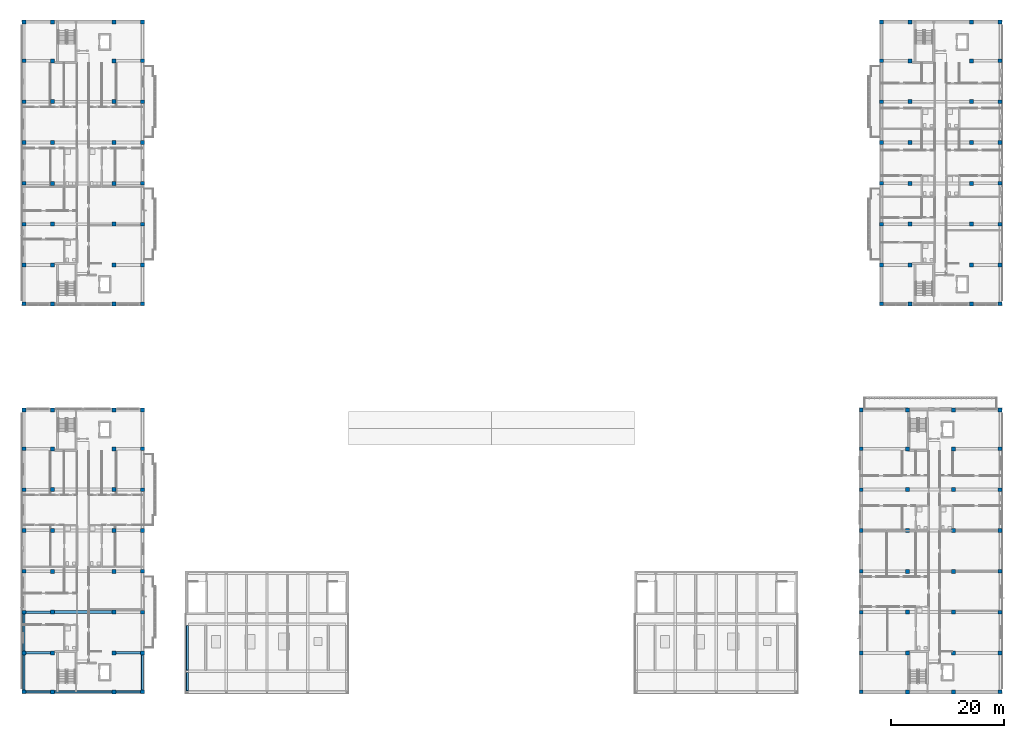
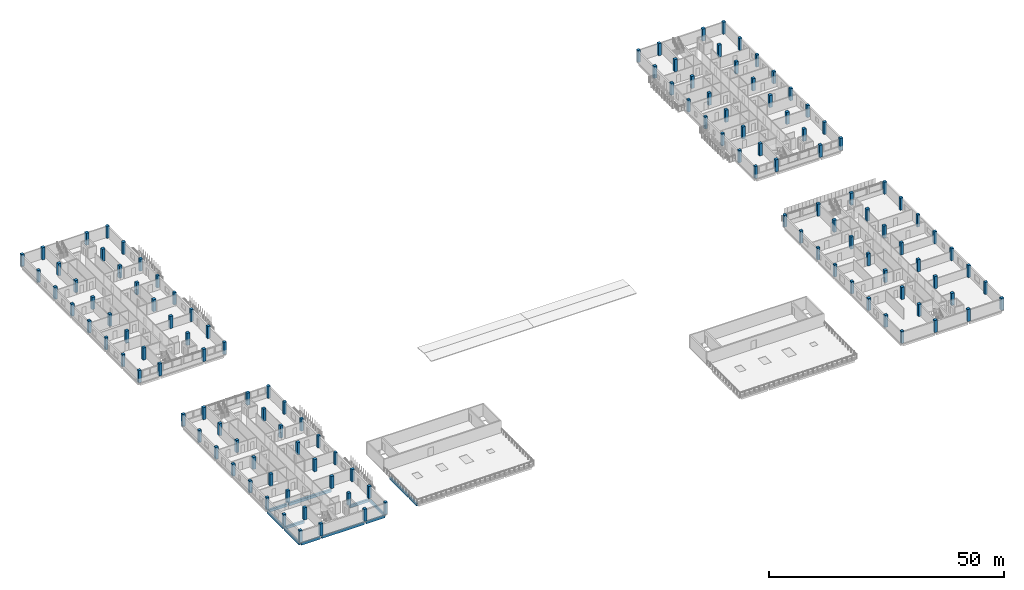
# One storey, part 1 of 56: 128 columns, 12 beams.
"""IFC4 building model written with IfcOpenShell, lengths in metres."""

from ifc_helpers import new_model, si_unit, derived_unit, direction, frame, origin, origin_2d, place, context, subcontext, project, spatial, rectangle, extrude, material, material_profile, profile_set, type_object, element, save


model = new_model("IFC4")

# Units and contexts
model_context = context("Model", 3, precision=1e-05, world=origin(), true_north=direction((0.0, 1.0)))
body_context = subcontext(model_context, "Body", "Model", "MODEL_VIEW")
ifc_project = project(units=[si_unit("LENGTHUNIT", "METRE"), si_unit("AREAUNIT", "SQUARE_METRE"), si_unit("VOLUMEUNIT", "CUBIC_METRE"), si_unit("PLANEANGLEUNIT", "RADIAN"), si_unit("MASSUNIT", "GRAM", prefix="KILO"), derived_unit("THERMALTRANSMITTANCEUNIT", [(si_unit("MASSUNIT", "GRAM", prefix="KILO"), 1), (si_unit("TIMEUNIT", "SECOND"), -3), (si_unit("THERMODYNAMICTEMPERATUREUNIT", "KELVIN"), -1)])], contexts=[model_context])

# Site, building, storey
site_placement = place(None, origin())
site = spatial("IfcSite", under=ifc_project, at=site_placement, CompositionType="ELEMENT")
building_placement = place(site_placement, origin())
building = spatial("IfcBuilding", under=site, at=building_placement, Name="Ochrekiln Boulevard Commons", CompositionType="ELEMENT")
storey_placement = place(building_placement, frame((0.0, 0.0, 12.074951171875)))
storey = spatial("IfcBuildingStorey", under=building, at=storey_placement, Name="L03", CompositionType="ELEMENT", Elevation=12.074951171875)

# Columns
ifc_material_1 = material(Name="Concrete C40/50", Category="concrete")
ifc_material_profile_1 = material_profile(ifc_material_1, rectangle(XDim=0.64990234375, YDim=0.64990234375, at=origin_2d()), Name="RC-COL-650x650")
ifc_profile_set_1 = profile_set([ifc_material_profile_1], Name="Concrete C40/50")
column_type_1 = type_object("IfcColumnType", Name="COL-RC-650", PredefinedType="COLUMN", material=ifc_profile_set_1)
for number, where, z_axis, x_axis, name in (
    (1, (0.35009765625, 68.75, 0.0), (0.0, 0.0, 1.0), (1.0, 0.0, 0.0), "Block A L03 Column C-650 (1)"),
    (2, (0.35009765625, 75.60009765625, 0.0), (0.0, 0.0, 1.0), (1.0, 0.0, 0.0), "Block A L03 Column C-650 (2)"),
    (3, (0.35009765625, 82.800048828125, 0.0), (0.0, 0.0, 1.0), (1.0, 0.0, 0.0), "Block A L03 Column C-650 (3)"),
    (4, (0.35009765625, 90.0, 0.0), (0.0, 0.0, 1.0), (1.0, 0.0, 0.0), "Block A L03 Column C-650 (4)"),
    (5, (0.35009765625, 97.199951171875, 0.0), (0.0, 0.0, 1.0), (1.0, 0.0, 0.0), "Block A L03 Column C-650 (5)"),
    (6, (0.35009765625, 104.39990234375, 0.0), (0.0, 0.0, 1.0), (1.0, 0.0, 0.0), "Block A L03 Column C-650 (6)"),
    (7, (0.35009765625, 111.60009765625, 0.0), (0.0, 0.0, 1.0), (1.0, 0.0, 0.0), "Block A L03 Column C-650 (7)"),
    (8, (0.35009765625, 118.449951171875, 0.0), (0.0, 0.0, 1.0), (1.0, 0.0, 0.0), "Block A L03 Column C-650 (8)"),
    (9, (21.25, 68.75, 0.0), (0.0, 0.0, 1.0), (1.0, 0.0, 0.0), "Block A L03 Column C-650 (25)"),
    (10, (21.25, 75.60009765625, 0.0), (0.0, 0.0, 1.0), (1.0, 0.0, 0.0), "Block A L03 Column C-650 (26)"),
    (11, (21.25, 82.800048828125, 0.0), (0.0, 0.0, 1.0), (1.0, 0.0, 0.0), "Block A L03 Column C-650 (27)"),
    (12, (21.25, 90.0, 0.0), (0.0, 0.0, 1.0), (1.0, 0.0, 0.0), "Block A L03 Column C-650 (28)"),
    (13, (21.25, 97.199951171875, 0.0), (0.0, 0.0, 1.0), (1.0, 0.0, 0.0), "Block A L03 Column C-650 (29)"),
    (14, (21.25, 104.39990234375, 0.0), (0.0, 0.0, 1.0), (1.0, 0.0, 0.0), "Block A L03 Column C-650 (30)"),
    (15, (21.25, 111.60009765625, 0.0), (0.0, 0.0, 1.0), (1.0, 0.0, 0.0), "Block A L03 Column C-650 (31)"),
    (16, (21.25, 118.449951171875, 0.0), (0.0, 0.0, 1.0), (1.0, 0.0, 0.0), "Block A L03 Column C-650 (32)"),
    (17, (151.550048828125, 68.75, 0.0), (0.0, 0.0, 1.0), (1.0, 0.0, 0.0), "Block B L03 Column C-650 (1)"),
    (18, (151.550048828125, 75.60009765625, 0.0), (0.0, 0.0, 1.0), (1.0, 0.0, 0.0), "Block B L03 Column C-650 (2)"),
    (19, (151.550048828125, 82.800048828125, 0.0), (0.0, 0.0, 1.0), (1.0, 0.0, 0.0), "Block B L03 Column C-650 (3)"),
    (20, (151.550048828125, 90.0, 0.0), (0.0, 0.0, 1.0), (1.0, 0.0, 0.0), "Block B L03 Column C-650 (4)"),
    (21, (151.550048828125, 97.199951171875, 0.0), (0.0, 0.0, 1.0), (1.0, 0.0, 0.0), "Block B L03 Column C-650 (5)"),
    (22, (151.550048828125, 104.39990234375, 0.0), (0.0, 0.0, 1.0), (1.0, 0.0, 0.0), "Block B L03 Column C-650 (6)"),
    (23, (151.550048828125, 111.60009765625, 0.0), (0.0, 0.0, 1.0), (1.0, 0.0, 0.0), "Block B L03 Column C-650 (7)"),
    (24, (151.550048828125, 118.449951171875, 0.0), (0.0, 0.0, 1.0), (1.0, 0.0, 0.0), "Block B L03 Column C-650 (8)"),
    (25, (172.449951171875, 68.75, 0.0), (0.0, 0.0, 1.0), (1.0, 0.0, 0.0), "Block B L03 Column C-650 (25)"),
    (26, (172.449951171875, 75.60009765625, 0.0), (0.0, 0.0, 1.0), (1.0, 0.0, 0.0), "Block B L03 Column C-650 (26)"),
    (27, (172.449951171875, 82.800048828125, 0.0), (0.0, 0.0, 1.0), (1.0, 0.0, 0.0), "Block B L03 Column C-650 (27)"),
    (28, (172.449951171875, 90.0, 0.0), (0.0, 0.0, 1.0), (1.0, 0.0, 0.0), "Block B L03 Column C-650 (28)"),
    (29, (172.449951171875, 97.199951171875, 0.0), (0.0, 0.0, 1.0), (1.0, 0.0, 0.0), "Block B L03 Column C-650 (29)"),
    (30, (172.449951171875, 104.39990234375, 0.0), (0.0, 0.0, 1.0), (1.0, 0.0, 0.0), "Block B L03 Column C-650 (30)"),
    (31, (172.449951171875, 111.60009765625, 0.0), (0.0, 0.0, 1.0), (1.0, 0.0, 0.0), "Block B L03 Column C-650 (31)"),
    (32, (172.449951171875, 118.449951171875, 0.0), (0.0, 0.0, 1.0), (1.0, 0.0, 0.0), "Block B L03 Column C-650 (32)"),
    (33, (147.949951171875, 0.35009765625, 0.0), (0.0, 0.0, 1.0), (1.0, 0.0, 0.0), "Block C L03 Column C-650 (1)"),
    (34, (147.949951171875, 7.199951171875, 0.0), (0.0, 0.0, 1.0), (1.0, 0.0, 0.0), "Block C L03 Column C-650 (2)"),
    (35, (147.949951171875, 14.39990234375, 0.0), (0.0, 0.0, 1.0), (1.0, 0.0, 0.0), "Block C L03 Column C-650 (3)"),
    (36, (147.949951171875, 21.60009765625, 0.0), (0.0, 0.0, 1.0), (1.0, 0.0, 0.0), "Block C L03 Column C-650 (4)"),
    (37, (147.949951171875, 28.800048828125, 0.0), (0.0, 0.0, 1.0), (1.0, 0.0, 0.0), "Block C L03 Column C-650 (5)"),
    (38, (147.949951171875, 36.0, 0.0), (0.0, 0.0, 1.0), (1.0, 0.0, 0.0), "Block C L03 Column C-650 (6)"),
    (39, (147.949951171875, 43.199951171875, 0.0), (0.0, 0.0, 1.0), (1.0, 0.0, 0.0), "Block C L03 Column C-650 (7)"),
    (40, (147.949951171875, 50.050048828125, 0.0), (0.0, 0.0, 1.0), (1.0, 0.0, 0.0), "Block C L03 Column C-650 (8)"),
    (41, (172.449951171875, 0.35009765625, 0.0), (0.0, 0.0, 1.0), (1.0, 0.0, 0.0), "Block C L03 Column C-650 (25)"),
    (42, (172.449951171875, 7.199951171875, 0.0), (0.0, 0.0, 1.0), (1.0, 0.0, 0.0), "Block C L03 Column C-650 (26)"),
    (43, (172.449951171875, 14.39990234375, 0.0), (0.0, 0.0, 1.0), (1.0, 0.0, 0.0), "Block C L03 Column C-650 (27)"),
    (44, (172.449951171875, 21.60009765625, 0.0), (0.0, 0.0, 1.0), (1.0, 0.0, 0.0), "Block C L03 Column C-650 (28)"),
    (45, (172.449951171875, 28.800048828125, 0.0), (0.0, 0.0, 1.0), (1.0, 0.0, 0.0), "Block C L03 Column C-650 (29)"),
    (46, (172.449951171875, 36.0, 0.0), (0.0, 0.0, 1.0), (1.0, 0.0, 0.0), "Block C L03 Column C-650 (30)"),
    (47, (172.449951171875, 43.199951171875, 0.0), (0.0, 0.0, 1.0), (1.0, 0.0, 0.0), "Block C L03 Column C-650 (31)"),
    (48, (172.449951171875, 50.050048828125, 0.0), (0.0, 0.0, 1.0), (1.0, 0.0, 0.0), "Block C L03 Column C-650 (32)"),
    (49, (0.35009765625, 0.35009765625, 0.0), (0.0, 0.0, 1.0), (1.0, 0.0, 0.0), "Block D L03 Column C-650 (1)"),
    (50, (0.35009765625, 7.199951171875, 0.0), (0.0, 0.0, 1.0), (1.0, 0.0, 0.0), "Block D L03 Column C-650 (2)"),
    (51, (0.35009765625, 14.39990234375, 0.0), (0.0, 0.0, 1.0), (1.0, 0.0, 0.0), "Block D L03 Column C-650 (3)"),
    (52, (0.35009765625, 21.60009765625, 0.0), (0.0, 0.0, 1.0), (1.0, 0.0, 0.0), "Block D L03 Column C-650 (4)"),
    (53, (0.35009765625, 28.800048828125, 0.0), (0.0, 0.0, 1.0), (1.0, 0.0, 0.0), "Block D L03 Column C-650 (5)"),
    (54, (0.35009765625, 36.0, 0.0), (0.0, 0.0, 1.0), (1.0, 0.0, 0.0), "Block D L03 Column C-650 (6)"),
    (55, (0.35009765625, 43.199951171875, 0.0), (0.0, 0.0, 1.0), (1.0, 0.0, 0.0), "Block D L03 Column C-650 (7)"),
    (56, (0.35009765625, 50.050048828125, 0.0), (0.0, 0.0, 1.0), (1.0, 0.0, 0.0), "Block D L03 Column C-650 (8)"),
    (57, (21.25, 0.35009765625, 0.0), (0.0, 0.0, 1.0), (1.0, 0.0, 0.0), "Block D L03 Column C-650 (25)"),
    (58, (21.25, 7.199951171875, 0.0), (0.0, 0.0, 1.0), (1.0, 0.0, 0.0), "Block D L03 Column C-650 (26)"),
    (59, (21.25, 14.39990234375, 0.0), (0.0, 0.0, 1.0), (1.0, 0.0, 0.0), "Block D L03 Column C-650 (27)"),
    (60, (21.25, 21.60009765625, 0.0), (0.0, 0.0, 1.0), (1.0, 0.0, 0.0), "Block D L03 Column C-650 (28)"),
    (61, (21.25, 28.800048828125, 0.0), (0.0, 0.0, 1.0), (1.0, 0.0, 0.0), "Block D L03 Column C-650 (29)"),
    (62, (21.25, 36.0, 0.0), (0.0, 0.0, 1.0), (1.0, 0.0, 0.0), "Block D L03 Column C-650 (30)"),
    (63, (21.25, 43.199951171875, 0.0), (0.0, 0.0, 1.0), (1.0, 0.0, 0.0), "Block D L03 Column C-650 (31)"),
    (64, (21.25, 50.050048828125, 0.0), (0.0, 0.0, 1.0), (1.0, 0.0, 0.0), "Block D L03 Column C-650 (32)"),
):
    element("IfcColumn", number, at=place(storey_placement, frame(where, z_axis=z_axis, x_axis=x_axis)), inside=storey, type_object=column_type_1, Name=name, PredefinedType="COLUMN", context=body_context, shape_type="SweptSolid", body=[
        extrude(rectangle(XDim=0.64990234375, YDim=0.64990234375, at=origin_2d()), origin(), (0.0, 0.0, 1.0), 3.150146484375),
    ])
ifc_material_profile_2 = material_profile(ifc_material_1, rectangle(XDim=0.699951171875, YDim=0.699951171875, at=origin_2d()), Name="RC-COL-700x700")
ifc_profile_set_2 = profile_set([ifc_material_profile_2], Name="Concrete C40/50")
column_type_2 = type_object("IfcColumnType", Name="COL-RC-700", PredefinedType="COLUMN", material=ifc_profile_set_2)
for number, where, z_axis, x_axis, name in (
    (65, (5.39990234375, 68.75, 0.0), (0.0, 0.0, 1.0), (1.0, 0.0, 0.0), "Block A L03 Column C-700 (9)"),
    (66, (5.39990234375, 75.60009765625, 0.0), (0.0, 0.0, 1.0), (1.0, 0.0, 0.0), "Block A L03 Column C-700 (10)"),
    (67, (5.39990234375, 82.800048828125, 0.0), (0.0, 0.0, 1.0), (1.0, 0.0, 0.0), "Block A L03 Column C-700 (11)"),
    (68, (5.39990234375, 90.0, 0.0), (0.0, 0.0, 1.0), (1.0, 0.0, 0.0), "Block A L03 Column C-700 (12)"),
    (69, (5.39990234375, 97.199951171875, 0.0), (0.0, 0.0, 1.0), (1.0, 0.0, 0.0), "Block A L03 Column C-700 (13)"),
    (70, (5.39990234375, 104.39990234375, 0.0), (0.0, 0.0, 1.0), (1.0, 0.0, 0.0), "Block A L03 Column C-700 (14)"),
    (71, (5.39990234375, 111.60009765625, 0.0), (0.0, 0.0, 1.0), (1.0, 0.0, 0.0), "Block A L03 Column C-700 (15)"),
    (72, (5.39990234375, 118.449951171875, 0.0), (0.0, 0.0, 1.0), (1.0, 0.0, 0.0), "Block A L03 Column C-700 (16)"),
    (73, (16.199951171875, 68.75, 0.0), (0.0, 0.0, 1.0), (1.0, 0.0, 0.0), "Block A L03 Column C-700 (17)"),
    (74, (16.199951171875, 75.60009765625, 0.0), (0.0, 0.0, 1.0), (1.0, 0.0, 0.0), "Block A L03 Column C-700 (18)"),
    (75, (16.199951171875, 82.800048828125, 0.0), (0.0, 0.0, 1.0), (1.0, 0.0, 0.0), "Block A L03 Column C-700 (19)"),
    (76, (16.199951171875, 90.0, 0.0), (0.0, 0.0, 1.0), (1.0, 0.0, 0.0), "Block A L03 Column C-700 (20)"),
    (77, (16.199951171875, 97.199951171875, 0.0), (0.0, 0.0, 1.0), (1.0, 0.0, 0.0), "Block A L03 Column C-700 (21)"),
    (78, (16.199951171875, 104.39990234375, 0.0), (0.0, 0.0, 1.0), (1.0, 0.0, 0.0), "Block A L03 Column C-700 (22)"),
    (79, (16.199951171875, 111.60009765625, 0.0), (0.0, 0.0, 1.0), (1.0, 0.0, 0.0), "Block A L03 Column C-700 (23)"),
    (80, (16.199951171875, 118.449951171875, 0.0), (0.0, 0.0, 1.0), (1.0, 0.0, 0.0), "Block A L03 Column C-700 (24)"),
    (81, (156.60009765625, 68.75, 0.0), (0.0, 0.0, 1.0), (1.0, 0.0, 0.0), "Block B L03 Column C-700 (9)"),
    (82, (156.60009765625, 75.60009765625, 0.0), (0.0, 0.0, 1.0), (1.0, 0.0, 0.0), "Block B L03 Column C-700 (10)"),
    (83, (156.60009765625, 82.800048828125, 0.0), (0.0, 0.0, 1.0), (1.0, 0.0, 0.0), "Block B L03 Column C-700 (11)"),
    (84, (156.60009765625, 90.0, 0.0), (0.0, 0.0, 1.0), (1.0, 0.0, 0.0), "Block B L03 Column C-700 (12)"),
    (85, (156.60009765625, 97.199951171875, 0.0), (0.0, 0.0, 1.0), (1.0, 0.0, 0.0), "Block B L03 Column C-700 (13)"),
    (86, (156.60009765625, 104.39990234375, 0.0), (0.0, 0.0, 1.0), (1.0, 0.0, 0.0), "Block B L03 Column C-700 (14)"),
    (87, (156.60009765625, 111.60009765625, 0.0), (0.0, 0.0, 1.0), (1.0, 0.0, 0.0), "Block B L03 Column C-700 (15)"),
    (88, (156.60009765625, 118.449951171875, 0.0), (0.0, 0.0, 1.0), (1.0, 0.0, 0.0), "Block B L03 Column C-700 (16)"),
    (89, (167.39990234375, 68.75, 0.0), (0.0, 0.0, 1.0), (1.0, 0.0, 0.0), "Block B L03 Column C-700 (17)"),
    (90, (167.39990234375, 75.60009765625, 0.0), (0.0, 0.0, 1.0), (1.0, 0.0, 0.0), "Block B L03 Column C-700 (18)"),
    (91, (167.39990234375, 82.800048828125, 0.0), (0.0, 0.0, 1.0), (1.0, 0.0, 0.0), "Block B L03 Column C-700 (19)"),
    (92, (167.39990234375, 90.0, 0.0), (0.0, 0.0, 1.0), (1.0, 0.0, 0.0), "Block B L03 Column C-700 (20)"),
    (93, (167.39990234375, 97.199951171875, 0.0), (0.0, 0.0, 1.0), (1.0, 0.0, 0.0), "Block B L03 Column C-700 (21)"),
    (94, (167.39990234375, 104.39990234375, 0.0), (0.0, 0.0, 1.0), (1.0, 0.0, 0.0), "Block B L03 Column C-700 (22)"),
    (95, (167.39990234375, 111.60009765625, 0.0), (0.0, 0.0, 1.0), (1.0, 0.0, 0.0), "Block B L03 Column C-700 (23)"),
    (96, (167.39990234375, 118.449951171875, 0.0), (0.0, 0.0, 1.0), (1.0, 0.0, 0.0), "Block B L03 Column C-700 (24)"),
    (97, (156.14990234375, 0.35009765625, 0.0), (0.0, 0.0, 1.0), (1.0, 0.0, 0.0), "Block C L03 Column C-700 (9)"),
    (98, (156.14990234375, 7.199951171875, 0.0), (0.0, 0.0, 1.0), (1.0, 0.0, 0.0), "Block C L03 Column C-700 (10)"),
    (99, (156.14990234375, 14.39990234375, 0.0), (0.0, 0.0, 1.0), (1.0, 0.0, 0.0), "Block C L03 Column C-700 (11)"),
    (100, (156.14990234375, 21.60009765625, 0.0), (0.0, 0.0, 1.0), (1.0, 0.0, 0.0), "Block C L03 Column C-700 (12)"),
    (101, (156.14990234375, 28.800048828125, 0.0), (0.0, 0.0, 1.0), (1.0, 0.0, 0.0), "Block C L03 Column C-700 (13)"),
    (102, (156.14990234375, 36.0, 0.0), (0.0, 0.0, 1.0), (1.0, 0.0, 0.0), "Block C L03 Column C-700 (14)"),
    (103, (156.14990234375, 43.199951171875, 0.0), (0.0, 0.0, 1.0), (1.0, 0.0, 0.0), "Block C L03 Column C-700 (15)"),
    (104, (156.14990234375, 50.050048828125, 0.0), (0.0, 0.0, 1.0), (1.0, 0.0, 0.0), "Block C L03 Column C-700 (16)"),
    (105, (164.25, 0.35009765625, 0.0), (0.0, 0.0, 1.0), (1.0, 0.0, 0.0), "Block C L03 Column C-700 (17)"),
    (106, (164.25, 7.199951171875, 0.0), (0.0, 0.0, 1.0), (1.0, 0.0, 0.0), "Block C L03 Column C-700 (18)"),
    (107, (164.25, 14.39990234375, 0.0), (0.0, 0.0, 1.0), (1.0, 0.0, 0.0), "Block C L03 Column C-700 (19)"),
    (108, (164.25, 21.60009765625, 0.0), (0.0, 0.0, 1.0), (1.0, 0.0, 0.0), "Block C L03 Column C-700 (20)"),
    (109, (164.25, 28.800048828125, 0.0), (0.0, 0.0, 1.0), (1.0, 0.0, 0.0), "Block C L03 Column C-700 (21)"),
    (110, (164.25, 36.0, 0.0), (0.0, 0.0, 1.0), (1.0, 0.0, 0.0), "Block C L03 Column C-700 (22)"),
    (111, (164.25, 43.199951171875, 0.0), (0.0, 0.0, 1.0), (1.0, 0.0, 0.0), "Block C L03 Column C-700 (23)"),
    (112, (164.25, 50.050048828125, 0.0), (0.0, 0.0, 1.0), (1.0, 0.0, 0.0), "Block C L03 Column C-700 (24)"),
    (113, (5.39990234375, 0.35009765625, 0.0), (0.0, 0.0, 1.0), (1.0, 0.0, 0.0), "Block D L03 Column C-700 (9)"),
    (114, (5.39990234375, 7.199951171875, 0.0), (0.0, 0.0, 1.0), (1.0, 0.0, 0.0), "Block D L03 Column C-700 (10)"),
    (115, (5.39990234375, 14.39990234375, 0.0), (0.0, 0.0, 1.0), (1.0, 0.0, 0.0), "Block D L03 Column C-700 (11)"),
    (116, (5.39990234375, 21.60009765625, 0.0), (0.0, 0.0, 1.0), (1.0, 0.0, 0.0), "Block D L03 Column C-700 (12)"),
    (117, (5.39990234375, 28.800048828125, 0.0), (0.0, 0.0, 1.0), (1.0, 0.0, 0.0), "Block D L03 Column C-700 (13)"),
    (118, (5.39990234375, 36.0, 0.0), (0.0, 0.0, 1.0), (1.0, 0.0, 0.0), "Block D L03 Column C-700 (14)"),
    (119, (5.39990234375, 43.199951171875, 0.0), (0.0, 0.0, 1.0), (1.0, 0.0, 0.0), "Block D L03 Column C-700 (15)"),
    (120, (5.39990234375, 50.050048828125, 0.0), (0.0, 0.0, 1.0), (1.0, 0.0, 0.0), "Block D L03 Column C-700 (16)"),
    (121, (16.199951171875, 0.35009765625, 0.0), (0.0, 0.0, 1.0), (1.0, 0.0, 0.0), "Block D L03 Column C-700 (17)"),
    (122, (16.199951171875, 7.199951171875, 0.0), (0.0, 0.0, 1.0), (1.0, 0.0, 0.0), "Block D L03 Column C-700 (18)"),
    (123, (16.199951171875, 14.39990234375, 0.0), (0.0, 0.0, 1.0), (1.0, 0.0, 0.0), "Block D L03 Column C-700 (19)"),
    (124, (16.199951171875, 21.60009765625, 0.0), (0.0, 0.0, 1.0), (1.0, 0.0, 0.0), "Block D L03 Column C-700 (20)"),
    (125, (16.199951171875, 28.800048828125, 0.0), (0.0, 0.0, 1.0), (1.0, 0.0, 0.0), "Block D L03 Column C-700 (21)"),
    (126, (16.199951171875, 36.0, 0.0), (0.0, 0.0, 1.0), (1.0, 0.0, 0.0), "Block D L03 Column C-700 (22)"),
    (127, (16.199951171875, 43.199951171875, 0.0), (0.0, 0.0, 1.0), (1.0, 0.0, 0.0), "Block D L03 Column C-700 (23)"),
    (128, (16.199951171875, 50.050048828125, 0.0), (0.0, 0.0, 1.0), (1.0, 0.0, 0.0), "Block D L03 Column C-700 (24)"),
):
    element("IfcColumn", number, at=place(storey_placement, frame(where, z_axis=z_axis, x_axis=x_axis)), inside=storey, type_object=column_type_2, Name=name, PredefinedType="COLUMN", context=body_context, shape_type="SweptSolid", body=[
        extrude(rectangle(XDim=0.699951171875, YDim=0.699951171875, at=origin_2d()), origin(), (0.0, 0.0, 1.0), 3.150146484375),
    ])

# Beams
ifc_material_2 = material(Name="Concrete C35/45", Category="concrete")
ifc_material_profile_3 = material_profile(ifc_material_2, rectangle(XDim=0.449951171875, YDim=0.64990234375, at=origin_2d()), Name="RC-BM-450x650")
ifc_profile_set_3 = profile_set([ifc_material_profile_3], Name="Concrete C35/45")
beam_type_1 = type_object("IfcBeamType", Name="BM-RC-450x650", PredefinedType="BEAM", material=ifc_profile_set_3)
beam_1_placement = place(storey_placement, frame((0.56005859375, 7.199951171875, -0.5849609375), z_axis=(1.0, 0.0, 0.0), x_axis=(0.0, 1.0, 0.0)))
element("IfcBeam", 129, at=beam_1_placement, inside=storey, type_object=beam_type_1, Name="Block D L03 Beam B-4565 X4", PredefinedType="BEAM", context=body_context, shape_type="SweptSolid", body=[
    extrude(rectangle(XDim=0.449951171875, YDim=0.64990234375, at=origin_2d()), origin(), (0.0, 0.0, 1.0), 4.6298828125),
])
beam_2_placement = place(storey_placement, frame((16.409912109375, 7.199951171875, -0.5849609375), z_axis=(1.0, 0.0, 0.0), x_axis=(0.0, 1.0, 0.0)))
element("IfcBeam", 130, at=beam_2_placement, inside=storey, type_object=beam_type_1, Name="Block D L03 Beam B-4565 X5", PredefinedType="BEAM", context=body_context, shape_type="SweptSolid", body=[
    extrude(rectangle(XDim=0.449951171875, YDim=0.64990234375, at=origin_2d()), origin(), (0.0, 0.0, 1.0), 4.630126953125),
])
beam_3_placement = place(storey_placement, frame((0.56005859375, 14.39990234375, -0.5849609375), z_axis=(1.0, 0.0, 0.0), x_axis=(0.0, 1.0, 0.0)))
element("IfcBeam", 131, at=beam_3_placement, inside=storey, type_object=beam_type_1, Name="Block D L03 Beam B-4565 X6", PredefinedType="BEAM", context=body_context, shape_type="SweptSolid", body=[
    extrude(rectangle(XDim=0.449951171875, YDim=0.64990234375, at=origin_2d()), origin(), (0.0, 0.0, 1.0), 4.6298828125),
])
ifc_material_profile_4 = material_profile(ifc_material_1, rectangle(XDim=0.5, YDim=0.699951171875, at=origin_2d()), Name="RC-BM-500x700")
ifc_profile_set_4 = profile_set([ifc_material_profile_4], Name="Concrete C40/50")
beam_type_2 = type_object("IfcBeamType", Name="BM-RC-500x700", PredefinedType="BEAM", material=ifc_profile_set_4)
beam_4_placement = place(storey_placement, frame((5.610107421875, 14.39990234375, -0.60986328125), z_axis=(1.0, 0.0, 0.0), x_axis=(0.0, 1.0, 0.0)))
element("IfcBeam", 132, at=beam_4_placement, inside=storey, type_object=beam_type_2, Name="Block D L03 Beam B-5070 X7", PredefinedType="BEAM", context=body_context, shape_type="SweptSolid", body=[
    extrude(rectangle(XDim=0.5, YDim=0.699951171875, at=origin_2d()), origin(), (0.0, 0.0, 1.0), 10.3798828125),
])
ifc_material_profile_5 = material_profile(ifc_material_1, rectangle(XDim=0.35009765625, YDim=0.64990234375, at=origin_2d()), Name="RC-SPN-350x650")
ifc_profile_set_5 = profile_set([ifc_material_profile_5], Name="Concrete C40/50")
beam_type_3 = type_object("IfcBeamType", Name="SPN-RC-350x650", PredefinedType="SPANDREL", material=ifc_profile_set_5)
beam_5_placement = place(storey_placement, frame((0.56005859375, 0.35009765625, -0.5849609375), z_axis=(1.0, 0.0, 0.0), x_axis=(0.0, 1.0, 0.0)))
element("IfcBeam", 133, at=beam_5_placement, inside=storey, type_object=beam_type_3, Name="Block D L03 Beam SP-3565 X1", PredefinedType="SPANDREL", context=body_context, shape_type="SweptSolid", body=[
    extrude(rectangle(XDim=0.35009765625, YDim=0.64990234375, at=origin_2d()), origin(), (0.0, 0.0, 1.0), 4.6298828125),
])
beam_6_placement = place(storey_placement, frame((5.610107421875, 0.35009765625, -0.5849609375), z_axis=(1.0, 0.0, 0.0), x_axis=(0.0, 1.0, 0.0)))
element("IfcBeam", 134, at=beam_6_placement, inside=storey, type_object=beam_type_3, Name="Block D L03 Beam SP-3565 X2", PredefinedType="SPANDREL", context=body_context, shape_type="SweptSolid", body=[
    extrude(rectangle(XDim=0.35009765625, YDim=0.64990234375, at=origin_2d()), origin(), (0.0, 0.0, 1.0), 10.3798828125),
])
beam_7_placement = place(storey_placement, frame((16.409912109375, 0.35009765625, -0.5849609375), z_axis=(1.0, 0.0, 0.0), x_axis=(0.0, 1.0, 0.0)))
element("IfcBeam", 135, at=beam_7_placement, inside=storey, type_object=beam_type_3, Name="Block D L03 Beam SP-3565 X3", PredefinedType="SPANDREL", context=body_context, shape_type="SweptSolid", body=[
    extrude(rectangle(XDim=0.35009765625, YDim=0.64990234375, at=origin_2d()), origin(), (0.0, 0.0, 1.0), 4.630126953125),
])
beam_8_placement = place(storey_placement, frame((0.35009765625, 0.56005859375, -0.5849609375), z_axis=(0.0, 1.0, 0.0), x_axis=(-1.0, 0.0, 0.0)))
element("IfcBeam", 136, at=beam_8_placement, inside=storey, type_object=beam_type_3, Name="Block D L03 Beam SP-3565 Y23", PredefinedType="SPANDREL", context=body_context, shape_type="SweptSolid", body=[
    extrude(rectangle(XDim=0.35009765625, YDim=0.64990234375, at=origin_2d()), origin(), (0.0, 0.0, 1.0), 6.429931640625),
])
beam_9_placement = place(storey_placement, frame((0.35009765625, 7.409912109375, -0.5849609375), z_axis=(0.0, 1.0, 0.0), x_axis=(-1.0, 0.0, 0.0)))
element("IfcBeam", 137, at=beam_9_placement, inside=storey, type_object=beam_type_3, Name="Block D L03 Beam SP-3565 Y24", PredefinedType="SPANDREL", context=body_context, shape_type="SweptSolid", body=[
    extrude(rectangle(XDim=0.35009765625, YDim=0.64990234375, at=origin_2d()), origin(), (0.0, 0.0, 1.0), 6.780029296875),
])
beam_10_placement = place(storey_placement, frame((21.25, 0.56005859375, -0.5849609375), z_axis=(0.0, 1.0, 0.0), x_axis=(-1.0, 0.0, 0.0)))
element("IfcBeam", 138, at=beam_10_placement, inside=storey, type_object=beam_type_3, Name="Block D L03 Beam SP-3565 Y30", PredefinedType="SPANDREL", context=body_context, shape_type="SweptSolid", body=[
    extrude(rectangle(XDim=0.35009765625, YDim=0.64990234375, at=origin_2d()), origin(), (0.0, 0.0, 1.0), 6.429931640625),
])
beam_11_placement = place(storey_placement, frame((29.14990234375, 0.56005859375, -0.56494140625), z_axis=(0.0, 1.0, 0.0), x_axis=(-1.0, 0.0, 0.0)))
element("IfcBeam", 139, at=beam_11_placement, inside=storey, type_object=beam_type_3, Name="West Boulevard Shops and Arcade L03 Beam SP-3565 Y17", PredefinedType="SPANDREL", context=body_context, shape_type="SweptSolid", body=[
    extrude(rectangle(XDim=0.35009765625, YDim=0.64990234375, at=origin_2d()), origin(), (0.0, 0.0, 1.0), 3.179931640625),
])
beam_12_placement = place(storey_placement, frame((29.14990234375, 4.159912109375, -0.56494140625), z_axis=(0.0, 1.0, 0.0), x_axis=(-1.0, 0.0, 0.0)))
element("IfcBeam", 140, at=beam_12_placement, inside=storey, type_object=beam_type_3, Name="West Boulevard Shops and Arcade L03 Beam SP-3565 Y18", PredefinedType="SPANDREL", context=body_context, shape_type="SweptSolid", body=[
    extrude(rectangle(XDim=0.35009765625, YDim=0.64990234375, at=origin_2d()), origin(), (0.0, 0.0, 1.0), 7.880126953125),
])

save(model, "model.ifc")
